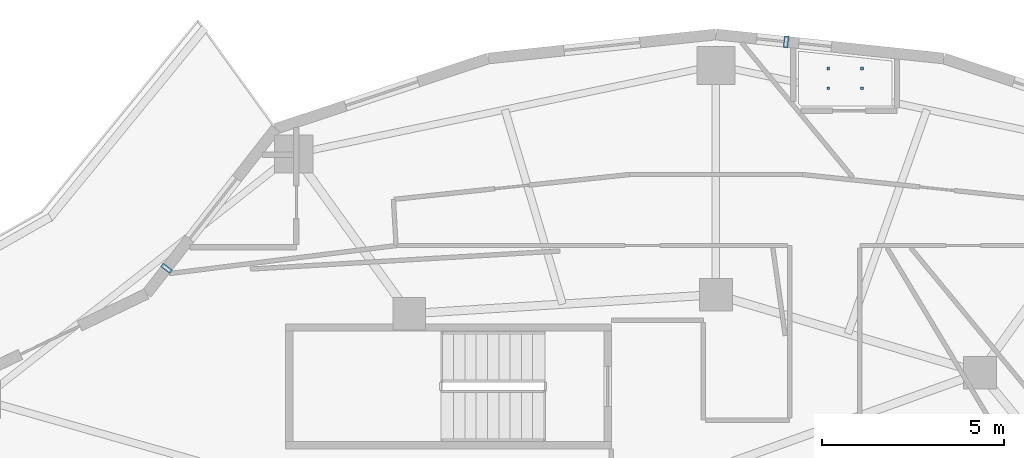
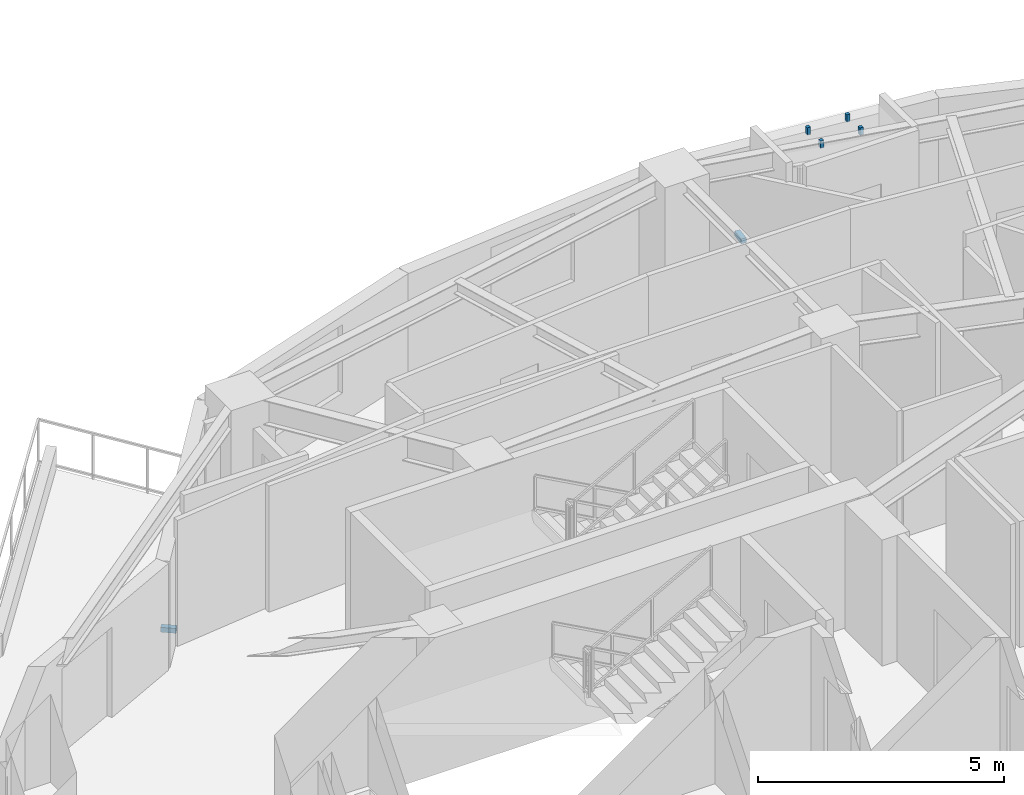
# One storey, part 14 of 18: 6 discrete accessories.
"""IFC4 building model written with IfcOpenShell, lengths in metres."""

import ifcopenshell
import ifcopenshell.guid

model = None  # the IFC model being written
_history = None  # IfcOwnerHistory: only IFC2X3 demands one
_inside = {}  # id of a spatial element -> (the spatial element, [elements in it])
_under = {}  # id of a project, library or spatial element -> (it, [spatial elements below it])
_declared = {}  # id of a project -> (the project, [libraries it declares])
_typed = {}  # id of a type object -> (the type object, [elements of that type])
_made_of = {}  # id of a material, layer set ... -> (it, [elements and type objects made of it])


def new_model(schema):
    """Start an empty IFC model of exactly this schema.

    Asked for "IFC4X3", IfcOpenShell would pick the latest addendum, in which some entities
    have other attributes; the version numbers below select the first issue.
    IFC2X3 requires an IfcOwnerHistory on every rooted entity: one is made here for all.
    """
    global model, _history
    if schema == "IFC4X3":
        model = ifcopenshell.file(schema_version=(4, 3, 0, 0))
    else:
        model = ifcopenshell.file(schema=schema)
    _inside.clear()
    _under.clear()
    _declared.clear()
    _typed.clear()
    _made_of.clear()
    _history = None
    if model.schema == "IFC2X3":
        org = make("IfcOrganization", Name="unknown")
        user = make(
            "IfcPersonAndOrganization",
            ThePerson=make("IfcPerson", FamilyName="unknown"),
            TheOrganization=org,
        )
        app = make(
            "IfcApplication",
            ApplicationDeveloper=org,
            Version="unknown",
            ApplicationFullName="unknown",
            ApplicationIdentifier="unknown",
        )
        _history = make(
            "IfcOwnerHistory",
            OwningUser=user,
            OwningApplication=app,
            ChangeAction="ADDED",
            CreationDate=0,
        )
    return model


def make(cls, **values):
    """One entity of the class cls with the attributes given. An attribute that is None is left unset."""
    return model.create_entity(
        cls, **{name: value for name, value in values.items() if value is not None}
    )


def rooted(cls, **values):
    """An entity with a GlobalId (a new one), such as an element, a storey or a relation."""
    return make(cls, GlobalId=ifcopenshell.guid.new(), OwnerHistory=_history, **values)


def si_unit(unit_type, name, prefix=None):
    """IfcSIUnit, for example si_unit("LENGTHUNIT", "METRE", prefix="MILLI")."""
    return make("IfcSIUnit", UnitType=unit_type, Prefix=prefix, Name=name)


def assignment(units):
    """IfcUnitAssignment: the units of a project."""
    return None if units is None else make("IfcUnitAssignment", Units=units)


def point(xyz):
    """IfcCartesianPoint."""
    return None if xyz is None else make("IfcCartesianPoint", Coordinates=xyz)


def direction(xyz):
    """IfcDirection."""
    return None if xyz is None else make("IfcDirection", DirectionRatios=xyz)


def frame(location, z_axis=None, x_axis=None):
    """IfcAxis2Placement3D, a coordinate frame: its origin and axes. An axis left out is left unset."""
    return make(
        "IfcAxis2Placement3D",
        Location=point(location),
        Axis=direction(z_axis),
        RefDirection=direction(x_axis),
    )


def frame_2d(location, x_axis=None):
    """IfcAxis2Placement2D, a coordinate frame in the plane: its origin and x axis."""
    return make(
        "IfcAxis2Placement2D", Location=point(location), RefDirection=direction(x_axis)
    )


def origin():
    """The frame at (0, 0, 0) with its axes left unset."""
    return frame((0.0, 0.0, 0.0))


def origin_2d():
    """The frame at (0, 0) in the plane with its x axis left unset."""
    return frame_2d((0.0, 0.0))


def place(relative_to, where):
    """IfcLocalPlacement: puts the frame where relative to a parent placement (None: the world)."""
    return make(
        "IfcLocalPlacement", PlacementRelTo=relative_to, RelativePlacement=where
    )


def context(
    kind, dimensions, precision=None, world=None, true_north=None, identifier=None
):
    """IfcGeometricRepresentationContext, for example the 3D "Model" context."""
    return make(
        "IfcGeometricRepresentationContext",
        ContextIdentifier=identifier,
        ContextType=kind,
        CoordinateSpaceDimension=dimensions,
        Precision=precision,
        WorldCoordinateSystem=world,
        TrueNorth=true_north,
    )


def subcontext(parent, identifier, kind, view, scale=None):
    """IfcGeometricRepresentationSubContext, for example "Body" below "Model"."""
    return make(
        "IfcGeometricRepresentationSubContext",
        ContextIdentifier=identifier,
        ContextType=kind,
        ParentContext=parent,
        TargetScale=scale,
        TargetView=view,
    )


def project(units=None, contexts=None):
    """IfcProject with its units and contexts."""
    return rooted(
        "IfcProject",
        Name="project",
        RepresentationContexts=contexts,
        UnitsInContext=assignment(units),
    )


def spatial(cls, under=None, at=None, **own):
    """A site, building, storey or space (cls), placed at a placement, below another one or the project."""
    s = rooted(cls, ObjectPlacement=at, **own)
    if under is not None:
        _under.setdefault(under.id(), (under, []))[1].append(s)
    return s


def profile(cls, at=None, kind="AREA", **sizes):
    """A parametric profile (cls). Its sizes go by their IFC names, for example OverallWidth=200.0."""
    return make(cls, ProfileType=kind, Position=at, **sizes)


def rectangle(**sizes):
    """IfcRectangleProfileDef."""
    return profile("IfcRectangleProfileDef", **sizes)


def extrude(swept, where, along, depth):
    """IfcExtrudedAreaSolid: the profile swept, set in the frame where, extruded along a direction by depth."""
    return make(
        "IfcExtrudedAreaSolid",
        SweptArea=swept,
        Position=where,
        ExtrudedDirection=direction(along),
        Depth=depth,
    )


def shape(context_of_items, identifier, shape_type, items):
    """IfcShapeRepresentation: the items that make up one representation, for example the "Body"."""
    return make(
        "IfcShapeRepresentation",
        ContextOfItems=context_of_items,
        RepresentationIdentifier=identifier,
        RepresentationType=shape_type,
        Items=items,
    )


def material(Name=None, Category=None):
    """IfcMaterial."""
    return make("IfcMaterial", Name=Name, Category=Category)


def made_of(thing, what):
    """Note that an element or type object is made of a material, layer set ...; save() writes the relation."""
    if what is not None:
        _made_of.setdefault(what.id(), (what, []))[1].append(thing)
    return thing


def type_object(cls, material=None, **own):
    """A type object (cls), such as IfcWallType, which elements share."""
    return made_of(rooted(cls, **own), material)


def element(
    cls,
    number,
    at=None,
    inside=None,
    cuts=None,
    type_object=None,
    material=None,
    context=None,
    identifier="Body",
    shape_type=None,
    held_by="IfcProductDefinitionShape",
    body=None,
    shapes=None,
    **own,
):
    """One element of the class cls, such as IfcWall. Its Tag is "e" and its number.

    at: its placement. inside: the storey or other place that contains it. cuts: it is an
    opening in that element (IfcRelVoidsElement). A single representation is given by context,
    identifier, shape_type and body (its items); several are given by shapes. held_by: the class
    of the entity that holds the representations. save() writes the other relations.
    """
    e = rooted(cls, Tag="e%d" % number, ObjectPlacement=at, **own)
    if body is not None:
        shapes = [shape(context, identifier, shape_type, body)]
    if shapes is not None:
        e.Representation = make(held_by, Representations=shapes)
    if inside is not None:
        _inside.setdefault(inside.id(), (inside, []))[1].append(e)
    if cuts is not None:
        rooted(
            "IfcRelVoidsElement", RelatingBuildingElement=cuts, RelatedOpeningElement=e
        )
    if type_object is not None:
        _typed.setdefault(type_object.id(), (type_object, []))[1].append(e)
    return made_of(e, material)


def aggregate(whole, parts):
    """IfcRelAggregates: a whole, such as a stair, and the parts it consists of."""
    return rooted("IfcRelAggregates", RelatingObject=whole, RelatedObjects=parts)


def save(model, path):
    """Write the relations noted so far, then the file.

    IfcRelAggregates (storeys below a building ...), IfcRelContainedInSpatialStructure (elements
    in a storey), IfcRelDefinesByType, IfcRelAssociatesMaterial and IfcRelDeclares: one each for
    every whole, place, type object, material and project.
    """
    for whole, parts in _under.values():
        aggregate(whole, parts)
    for where, things in _inside.values():
        rooted(
            "IfcRelContainedInSpatialStructure",
            RelatedElements=things,
            RelatingStructure=where,
        )
    for kind, things in _typed.values():
        rooted("IfcRelDefinesByType", RelatedObjects=things, RelatingType=kind)
    for what, things in _made_of.values():
        rooted("IfcRelAssociatesMaterial", RelatedObjects=things, RelatingMaterial=what)
    for by, libraries in _declared.values():
        rooted("IfcRelDeclares", RelatingContext=by, RelatedDefinitions=libraries)
    model.write(path)


model = new_model("IFC4")

# Units and contexts
model_context = context("Model", 3, precision=1e-05, world=origin(), true_north=direction((0.0, 1.0)))
body_context = subcontext(model_context, "Body", "Model", "MODEL_VIEW")
ifc_project = project(units=[si_unit("LENGTHUNIT", "METRE"), si_unit("AREAUNIT", "SQUARE_METRE"), si_unit("VOLUMEUNIT", "CUBIC_METRE"), si_unit("PLANEANGLEUNIT", "RADIAN"), si_unit("MASSUNIT", "GRAM", prefix="KILO")], contexts=[model_context])

# Site, building, storey
site_placement = place(None, origin())
site = spatial("IfcSite", under=ifc_project, at=site_placement, CompositionType="ELEMENT")
building_placement = place(site_placement, origin())
building = spatial("IfcBuilding", under=site, at=building_placement, Name="Kolvaren Gate Tower and Convention Centre", CompositionType="ELEMENT")
storey_placement = place(building_placement, frame((0.0, 0.0, 135.89990234375)))
storey = spatial("IfcBuildingStorey", under=building, at=storey_placement, Name="L34", CompositionType="ELEMENT", Elevation=135.89990234375)

# Discrete accessories
ifc_material_1 = material(Name="Anodized Architectural Aluminium Alloy 6063-T6", Category="aluminium")
discrete_accessory_type_1 = type_object("IfcDiscreteAccessoryType", Name="ARCH-ACC-BRACKET-120", PredefinedType="BRACKET", material=ifc_material_1)
for number, where, z_axis, x_axis, name in (
    (1, (32.05126953125, 46.147216796875, 0.2900390625), (0.0, 0.0, 1.0), (0.994499981166, -0.104736753152, 0.0), "Ceramic Fin Wall Anchor Bracket FBK-L34-05"),
    (2, (15.02978515625, 39.923828125, 0.2900390625), (0.0, 0.0, 1.0), (0.616435493395, 0.787405411769, 0.0), "Ceramic Fin Wall Anchor Bracket FBK-L34-08"),
):
    element("IfcDiscreteAccessory", number, at=place(storey_placement, frame(where, z_axis=z_axis, x_axis=x_axis)), inside=storey, type_object=discrete_accessory_type_1, Name=name, PredefinedType="BRACKET", context=body_context, shape_type="SweptSolid", body=[
        extrude(rectangle(XDim=0.1201171875, YDim=0.320068359375, at=origin_2d()), origin(), (0.0, 0.0, 1.0), 0.1201171875),
    ])
ifc_material_2 = material(Name="Brushed Stainless Steel Grade 316L", Category="steel")
discrete_accessory_type_2 = type_object("IfcDiscreteAccessoryType", Name="ARCH-ACC-HANGER-80", PredefinedType="BRACKET", material=ifc_material_2)
for number, where, z_axis, x_axis, name in (
    (3, (33.2119140625, 44.8701171875, 2.9501953125), (0.0, 0.0, 1.0), (1.0, 0.0, 0.0), "En-suite Bathroom (HTL-L34-08) Ceiling Suspension Hanger Clip 1"),
    (4, (34.137939453125, 44.8701171875, 2.9501953125), (0.0, 0.0, 1.0), (1.0, 0.0, 0.0), "En-suite Bathroom (HTL-L34-08) Ceiling Suspension Hanger Clip 2"),
    (5, (33.2119140625, 45.409912109375, 2.9501953125), (0.0, 0.0, 1.0), (1.0, 0.0, 0.0), "En-suite Bathroom (HTL-L34-08) Ceiling Suspension Hanger Clip 3"),
    (6, (34.137939453125, 45.409912109375, 2.9501953125), (0.0, 0.0, 1.0), (1.0, 0.0, 0.0), "En-suite Bathroom (HTL-L34-08) Ceiling Suspension Hanger Clip 4"),
):
    element("IfcDiscreteAccessory", number, at=place(storey_placement, frame(where, z_axis=z_axis, x_axis=x_axis)), inside=storey, type_object=discrete_accessory_type_2, Name=name, PredefinedType="BRACKET", context=body_context, shape_type="SweptSolid", body=[
        extrude(rectangle(XDim=0.080078125, YDim=0.080078125, at=origin_2d()), origin(), (0.0, 0.0, 1.0), 0.179931640625),
    ])

save(model, "model.ifc")
